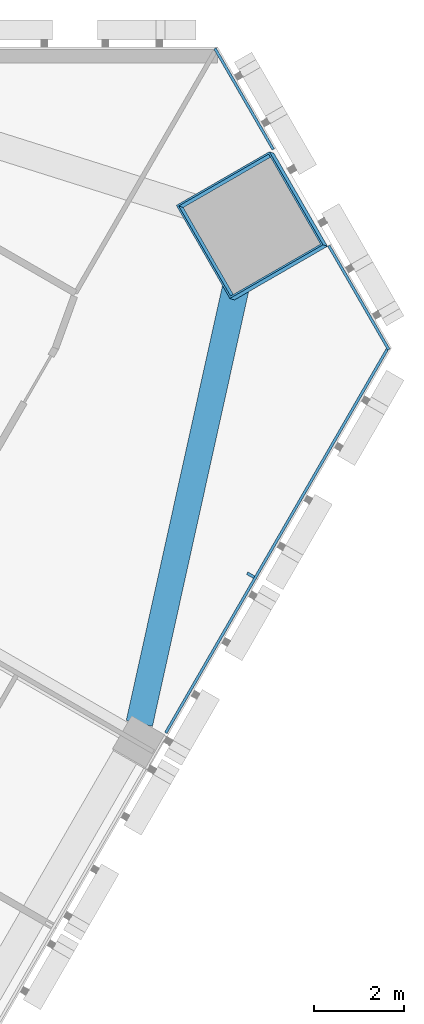
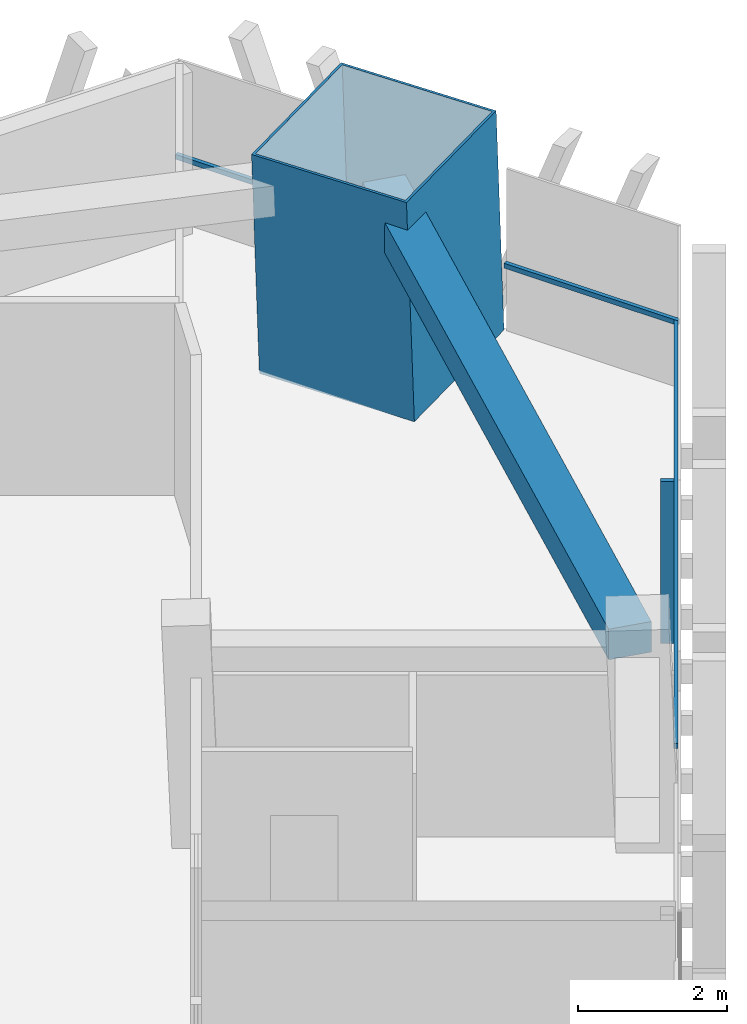
# One storey, part 7 of 16: 5 members, 1 beam, 2 elements without a shape of their own.
"""IFC4 building model written with IfcOpenShell, lengths in metres."""

from ifc_helpers import new_model, si_unit, direction, frame, origin, origin_2d, place, context, subcontext, project, spatial, rectangle, hollow_rectangle, extrude, material, layer, layer_set, material_profile, profile_set, type_object, element, aggregate, save


model = new_model("IFC4")

# Units and contexts
model_context = context("Model", 3, precision=1e-05, world=origin(), true_north=direction((0.0, 1.0)))
body_context = subcontext(model_context, "Body", "Model", "MODEL_VIEW")
ifc_project = project(units=[si_unit("LENGTHUNIT", "METRE"), si_unit("AREAUNIT", "SQUARE_METRE"), si_unit("VOLUMEUNIT", "CUBIC_METRE"), si_unit("PLANEANGLEUNIT", "RADIAN"), si_unit("MASSUNIT", "GRAM", prefix="KILO")], contexts=[model_context])

# Site, building, storey
site_placement = place(None, origin())
site = spatial("IfcSite", under=ifc_project, at=site_placement, CompositionType="ELEMENT")
building_placement = place(site_placement, origin())
building = spatial("IfcBuilding", under=site, at=building_placement, Name="Altiplano Prism Tower", CompositionType="ELEMENT")
storey_placement = place(building_placement, frame((0.0, 0.0, 131.39990234375)))
storey = spatial("IfcBuildingStorey", under=building, at=storey_placement, Name="L33", CompositionType="ELEMENT", Elevation=131.39990234375)

# Curtain wall, members
ifc_material_1 = material(Name="Aluminium and glass", Category="aluminium")
ifc_layer = layer(ifc_material_1, 0.280029296875)
ifc_layer_set = layer_set([ifc_layer], Name="Aluminium and glass")
curtain_wall_type = type_object("IfcCurtainWallType", Name="CW1 typical co-living unitised curtain wall", PredefinedType="NOTDEFINED", material=ifc_layer_set)
curtain_wall_1_placement = place(storey_placement, origin())
curtain_wall_1 = element("IfcCurtainWall", 1, at=curtain_wall_1_placement, inside=storey, type_object=curtain_wall_type, Name="CW1 curtain wall south-east face L33", PredefinedType="NOTDEFINED")
ifc_material_2 = material(Name="Aluminium", Category="aluminium")
ifc_material_profile_1 = material_profile(ifc_material_2, rectangle(XDim=0.179931640625, YDim=0.06494140625, at=origin_2d()), Name="CW1 mullion 65 x 180")
ifc_profile_set_1 = profile_set([ifc_material_profile_1], Name="Aluminium")
member_type_1 = type_object("IfcMemberType", Name="CW1 mullion 65 x 180", PredefinedType="MULLION", material=ifc_profile_set_1)
member_1_placement = place(storey_placement, frame((109.702392578125, 93.201416015625, 0.0), z_axis=(0.0, 0.0, 1.0), x_axis=(-0.86602540251, 0.500000002207, 0.0)))
member_1 = element("IfcMember", 2, at=member_1_placement, type_object=member_type_1, Name="CW1 mullion", PredefinedType="MULLION", context=body_context, shape_type="SweptSolid", body=[
    extrude(rectangle(XDim=0.179931640625, YDim=0.06494140625, at=origin_2d()), origin(), (0.0, 0.0, 1.0), 2.650146484375),
])
ifc_material_profile_2 = material_profile(ifc_material_2, rectangle(XDim=0.06005859375, YDim=0.080078125, at=origin_2d()), Name="CW1 transom 80 x 60")
ifc_profile_set_2 = profile_set([ifc_material_profile_2], Name="Aluminium")
member_type_2 = type_object("IfcMemberType", Name="CW1 transom 80 x 60", PredefinedType="USERDEFINED", material=ifc_profile_set_2)
member_2_placement = place(storey_placement, frame((107.808349609375, 89.68115234375, 1.10009765625), z_axis=(0.500006033555, 0.866021920282, 0.0), x_axis=(-0.866021920282, 0.500006033555, 0.0)))
member_2 = element("IfcMember", 3, at=member_2_placement, type_object=member_type_2, Name="CW1 transom", ObjectType="TRANSOM", PredefinedType="USERDEFINED", context=body_context, shape_type="SweptSolid", body=[
    extrude(rectangle(XDim=0.06005859375, YDim=0.080078125, at=origin_2d()), origin(), (0.0, 0.0, 1.0), 9.96142578125),
])
aggregate(curtain_wall_1, [member_1, member_2])

curtain_wall_2_placement = place(storey_placement, origin())
curtain_wall_2 = element("IfcCurtainWall", 4, at=curtain_wall_2_placement, inside=storey, type_object=curtain_wall_type, Name="CW1 curtain wall north-east chamfer L33", PredefinedType="NOTDEFINED")
member_3_placement = place(storey_placement, frame((112.7890625, 98.23779296875, 1.10009765625), z_axis=(-0.500003280469, 0.866023509796, 0.0), x_axis=(-0.866023509796, -0.500003280469, 0.0)))
member_3 = element("IfcMember", 5, at=member_3_placement, type_object=member_type_2, Name="CW1 transom", ObjectType="TRANSOM", PredefinedType="USERDEFINED", context=body_context, shape_type="SweptSolid", body=[
    extrude(rectangle(XDim=0.06005859375, YDim=0.080078125, at=origin_2d()), origin(), (0.0, 0.0, 1.0), 2.68408203125),
])
member_4_placement = place(storey_placement, frame((110.207275390625, 102.7099609375, 1.10009765625), z_axis=(-0.500001094379, 0.866024771944, 0.0), x_axis=(-0.866024771944, -0.500001094379, 0.0)))
member_4 = element("IfcMember", 6, at=member_4_placement, type_object=member_type_2, Name="CW1 transom", ObjectType="TRANSOM", PredefinedType="USERDEFINED", context=body_context, shape_type="SweptSolid", body=[
    extrude(rectangle(XDim=0.06005859375, YDim=0.080078125, at=origin_2d()), origin(), (0.0, 0.0, 1.0), 2.60400390625),
])
aggregate(curtain_wall_2, [member_3, member_4])

# Beam
ifc_material_3 = material(Name="Concrete C60/75", Category="concrete")
ifc_material_profile_3 = material_profile(ifc_material_3, rectangle(XDim=0.60009765625, YDim=0.5, at=origin_2d()), Name="Edge beam 600x500")
ifc_profile_set_3 = profile_set([ifc_material_profile_3], Name="Concrete C60/75")
beam_type = type_object("IfcBeamType", Name="Edge beam 600x500", PredefinedType="SPANDREL", material=ifc_profile_set_3)
beam_placement = place(storey_placement, frame((107.217529296875, 89.890625, 2.900146484375), z_axis=(0.216016602284, 0.976389690409, 0.0), x_axis=(-0.976389690409, 0.216016602284, 0.0)))
element("IfcBeam", 7, at=beam_placement, inside=storey, type_object=beam_type, Name="Edge beam P24-M2 L34", PredefinedType="SPANDREL", context=body_context, shape_type="SweptSolid", body=[
    extrude(rectangle(XDim=0.60009765625, YDim=0.5, at=origin_2d()), origin(), (0.0, 0.0, 1.0), 10.9482421875),
])

# Member
ifc_material_4 = material(Name="Steel S460", Category="steel")
ifc_material_profile_4 = material_profile(ifc_material_4, hollow_rectangle(XDim=2.39990234375, YDim=2.39990234375, WallThickness=0.0400390625, at=origin_2d()), Name="Mega column tube 2400")
ifc_profile_set_4 = profile_set([ifc_material_profile_4], Name="Steel S460")
member_type_3 = type_object("IfcMemberType", Name="Mega column tube 2400", PredefinedType="POST", material=ifc_profile_set_4)
member_5_placement = place(storey_placement, frame((109.781982421875, 100.986328125, 0.0), z_axis=(-0.028401796786, 0.009286506348, 0.999553449666), x_axis=(0.498883843993, -0.866383845889, 0.022224801134)))
element("IfcMember", 8, at=member_5_placement, inside=storey, type_object=member_type_3, Name="Mega column tube M2 L33", PredefinedType="POST", context=body_context, shape_type="SweptSolid", body=[
    extrude(hollow_rectangle(XDim=2.39990234375, YDim=2.39990234375, WallThickness=0.0400390625, at=origin_2d()), origin(), (0.0, 0.0, 1.0), 3.601806640625),
])

save(model, "model.ifc")
